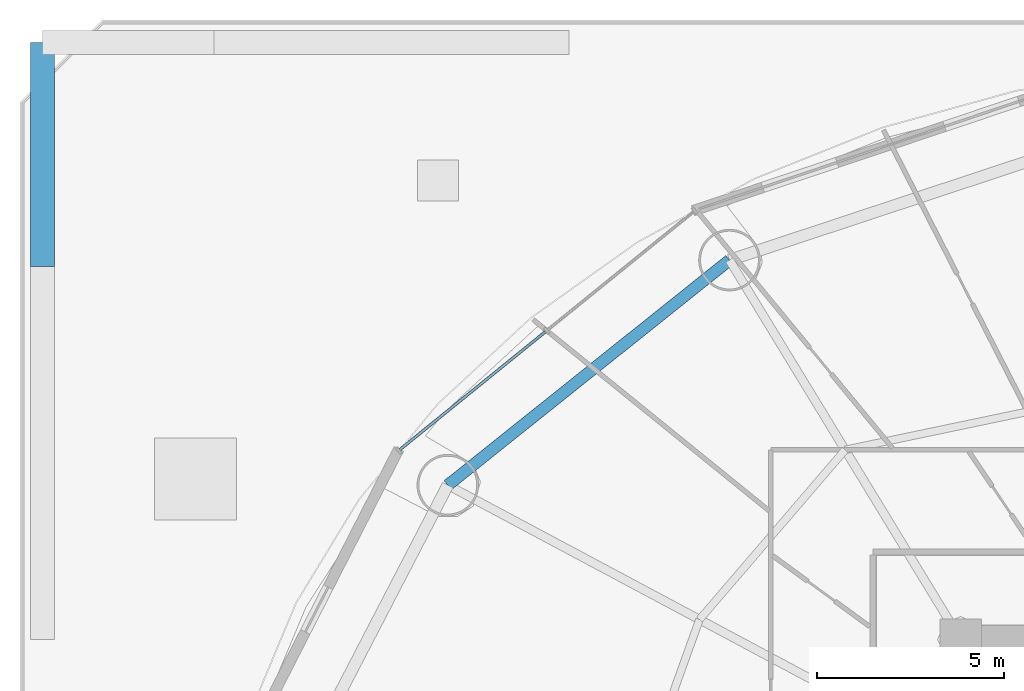
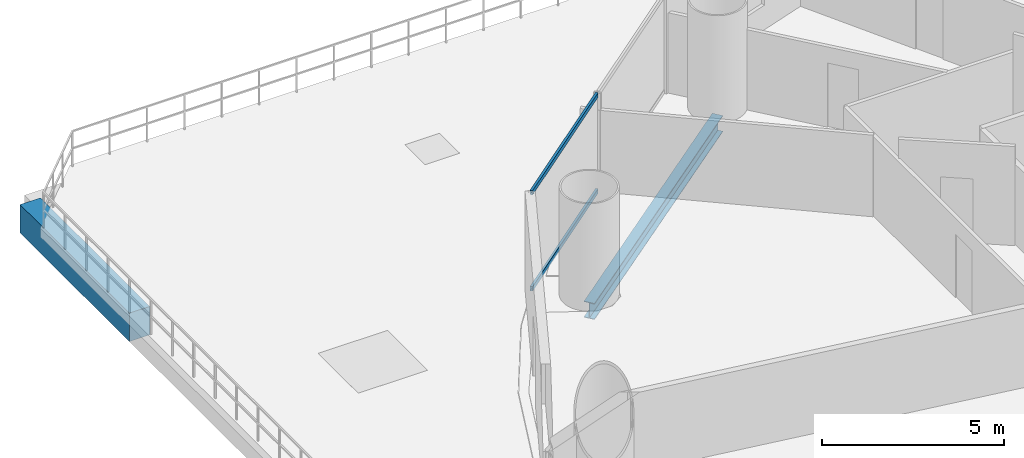
# One storey, part 21 of 37: 2 beams, 2 members, 1 element without a shape of its own.
"""IFC4 building model written with IfcOpenShell, lengths in metres."""

from ifc_helpers import new_model, si_unit, direction, frame, origin, origin_2d, place, context, subcontext, project, spatial, rectangle, hollow_rectangle, i_section, extrude, source, transform, mapped, material, material_profile, profile_set, type_object, element, aggregate, save


model = new_model("IFC4")

# Units and contexts
model_context = context("Model", 3, precision=1e-05, world=origin(), true_north=direction((-0.2419218956, 0.970295726276)))
body_context = subcontext(model_context, "Body", "Model", "MODEL_VIEW")
ifc_project = project(units=[si_unit("LENGTHUNIT", "METRE"), si_unit("AREAUNIT", "SQUARE_METRE"), si_unit("VOLUMEUNIT", "CUBIC_METRE"), si_unit("PLANEANGLEUNIT", "RADIAN"), si_unit("MASSUNIT", "GRAM", prefix="KILO")], contexts=[model_context])

# Site, building, storey
site_placement = place(None, origin())
site = spatial("IfcSite", under=ifc_project, at=site_placement, CompositionType="ELEMENT")
building_placement = place(site_placement, origin())
building = spatial("IfcBuilding", under=site, at=building_placement, Name="Cobrevalo Terracotta Tower", CompositionType="ELEMENT")
storey_placement = place(building_placement, frame((0.0, 0.0, 24.0)))
storey = spatial("IfcBuildingStorey", under=building, at=storey_placement, Name="L05", CompositionType="ELEMENT", Elevation=24.0)

# Beams
ifc_material_1 = material(Name="Concrete C50", Category="concrete")
ifc_material_profile_1 = material_profile(ifc_material_1, rectangle(XDim=0.64990234375, YDim=0.949951171875, at=origin_2d()), Name="RC BM 650x950")
ifc_profile_set_1 = profile_set([ifc_material_profile_1], Name="Concrete C50")
beam_type_1 = type_object("IfcBeamType", Name="Structural Spandrel RC BM 650x950 (Concrete C50)", PredefinedType="SPANDREL", material=ifc_profile_set_1)
beam_1_placement = place(storey_placement, frame((4.39990234375, 44.800048828125, -0.7548828125), z_axis=(0.0, 1.0, 0.0), x_axis=(-1.0, 0.0, 0.0)))
element("IfcBeam", 1, at=beam_1_placement, inside=storey, type_object=beam_type_1, Name="L05 podium grid beam G1-GF to G1-GG", PredefinedType="SPANDREL", context=body_context, shape_type="SweptSolid", body=[
    extrude(rectangle(XDim=0.64990234375, YDim=0.949951171875, at=origin_2d()), origin(), (0.0, 0.0, 1.0), 6.0),
])
ifc_material_2 = material(Name="Steel S355", Category="steel")
ifc_material_profile_2 = material_profile(ifc_material_2, i_section(OverallWidth=0.31201171875, OverallDepth=0.54296875, WebThickness=0.0126953125, FlangeThickness=0.020263671875, at=origin_2d()), Name="W 530x150")
ifc_profile_set_2 = profile_set([ifc_material_profile_2], Name="Steel S355")
beam_type_2 = type_object("IfcBeamType", Name="Structural Spandrel W 530x150 (Steel S355)", PredefinedType="SPANDREL", material=ifc_profile_set_2)
beam_2_placement = place(storey_placement, frame((22.80517578125, 44.967529296875, -0.551513671875), z_axis=(-0.781292806807, -0.62416468182, 0.0), x_axis=(0.62416468182, -0.781292806807, 0.0)))
element("IfcBeam", 2, at=beam_2_placement, inside=storey, type_object=beam_type_2, Name="L05 perimeter ring spandrel 06", PredefinedType="SPANDREL", context=body_context, shape_type="SweptSolid", body=[
    extrude(i_section(OverallWidth=0.31201171875, OverallDepth=0.54296875, WebThickness=0.0126953125, FlangeThickness=0.020263671875, at=origin_2d()), origin(), (0.0, 0.0, 1.0), 9.658203125),
])

# Curtain wall, members
ifc_material_3 = material(Name="Anodized aluminium", Category="aluminium")
curtain_wall_type = type_object("IfcCurtainWallType", Name="Lower-tower unitised acoustic low-E curtain wall CW-U1", PredefinedType="NOTDEFINED", material=ifc_material_3)
curtain_wall_placement = place(storey_placement, origin())
curtain_wall = element("IfcCurtainWall", 3, at=curtain_wall_placement, inside=storey, type_object=curtain_wall_type, Name="L05 curtain wall CW-L05-S06", PredefinedType="NOTDEFINED")
ifc_material_profile_3 = material_profile(ifc_material_3, hollow_rectangle(XDim=0.074951171875, YDim=0.14990234375, WallThickness=0.00439453125, at=origin_2d()), Name="CWT 75x150")
ifc_profile_set_3 = profile_set([ifc_material_profile_3], Name="Anodized aluminium")
member_type = type_object("IfcMemberType", Name="Tower unitised aluminium transom 75x150", PredefinedType="USERDEFINED", material=ifc_profile_set_3)
shared_shape = source(origin(), body_context, "Body", "SweptSolid", [
    extrude(hollow_rectangle(XDim=0.074951171875, YDim=0.14990234375, WallThickness=0.00439453125, at=origin_2d()), origin(), (0.0, 0.0, 1.0), 5.0234375),
])
member_1_placement = place(storey_placement, frame((17.877685546875, 43.0517578125, 0.050048828125), z_axis=(-0.777022991593, -0.629472215857, 0.0), x_axis=(0.629472215857, -0.777022991593, 0.0)))
member_1 = element("IfcMember", 4, at=member_1_placement, type_object=member_type, Name="CW-L05-S06 transom B02-T1", ObjectType="TRANSOM", PredefinedType="USERDEFINED", context=body_context, shape_type="MappedRepresentation", body=[
    mapped(shared_shape, transform((0.0, 0.0, 0.0), scale=1.0)),
])
member_2_placement = place(storey_placement, frame((17.877685546875, 43.0517578125, 3.27001953125), z_axis=(-0.777022991593, -0.629472215857, 0.0), x_axis=(0.629472215857, -0.777022991593, 0.0)))
member_2 = element("IfcMember", 5, at=member_2_placement, type_object=member_type, Name="CW-L05-S06 transom B02-T2", ObjectType="TRANSOM", PredefinedType="USERDEFINED", context=body_context, shape_type="MappedRepresentation", body=[
    mapped(shared_shape, transform((0.0, 0.0, 0.0), scale=1.0)),
])
aggregate(curtain_wall, [member_1, member_2])

save(model, "model.ifc")
